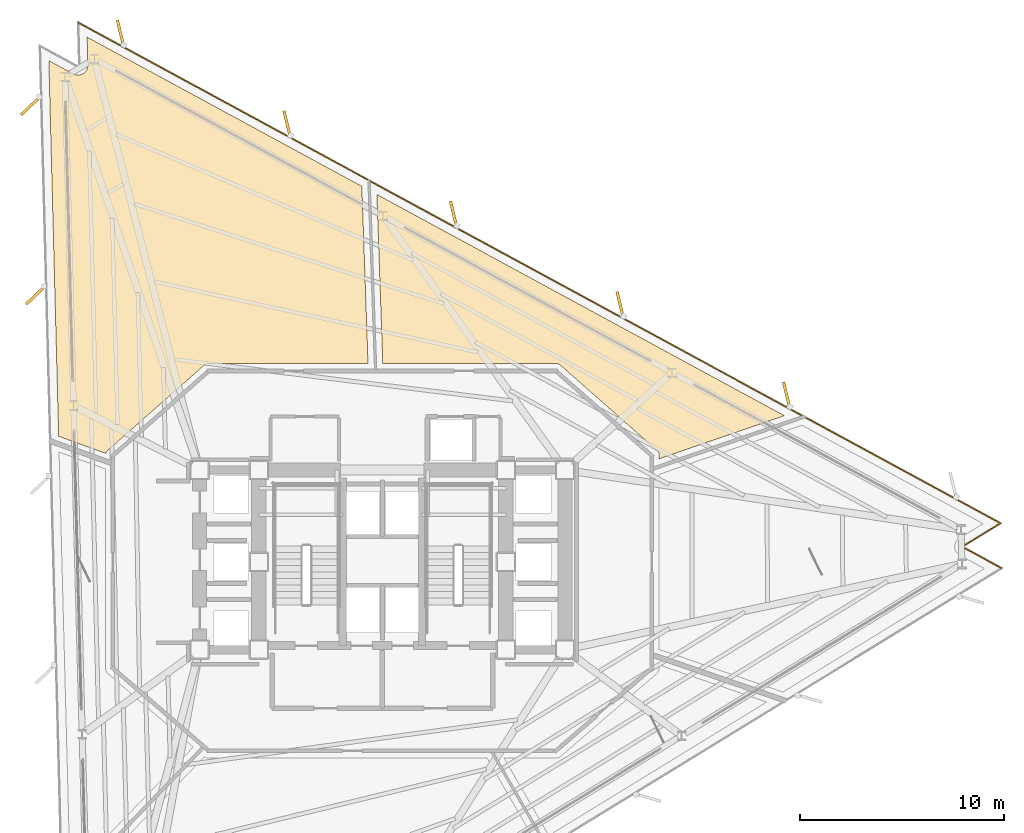
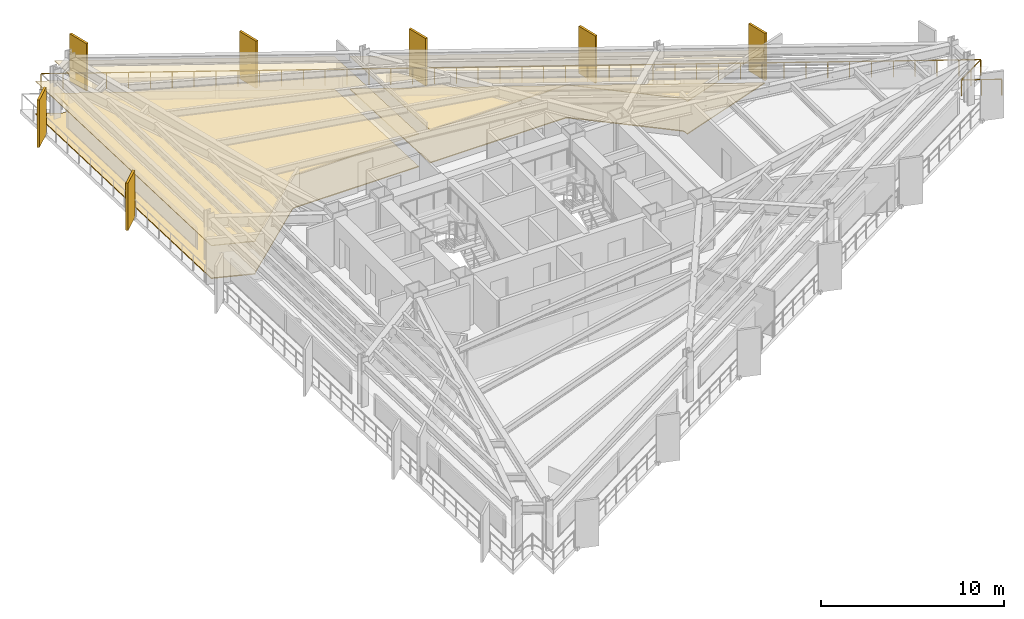
# One storey, part 14 of 14: 7 shading devices, 4 coverings, 1 railing.
"""IFC4 building model written with IfcOpenShell, lengths in metres."""

from ifc_helpers import new_model, si_unit, direction, frame, origin, origin_2d, place, context, subcontext, project, spatial, polyline, rectangle, outline, extrude, material, layer, layer_set, type_object, element, save


model = new_model("IFC4")

# Units and contexts
model_context = context("Model", 3, precision=1e-05, world=origin(), true_north=direction((0.0, 1.0)))
body_context = subcontext(model_context, "Body", "Model", "MODEL_VIEW")
ifc_project = project(units=[si_unit("LENGTHUNIT", "METRE"), si_unit("AREAUNIT", "SQUARE_METRE"), si_unit("VOLUMEUNIT", "CUBIC_METRE"), si_unit("PLANEANGLEUNIT", "RADIAN"), si_unit("MASSUNIT", "GRAM", prefix="KILO")], contexts=[model_context])

# Site, building, storey
site_placement = place(None, origin())
site = spatial("IfcSite", under=ifc_project, at=site_placement, CompositionType="ELEMENT")
building_placement = place(site_placement, origin())
building = spatial("IfcBuilding", under=site, at=building_placement, Name="Rocaltana Carrier Exchange", CompositionType="ELEMENT")
storey_placement = place(building_placement, frame((0.0, 0.0, 42.39990234375)))
storey = spatial("IfcBuildingStorey", under=building, at=storey_placement, Name="L13", CompositionType="ELEMENT", Elevation=42.39990234375)

# Coverings
ifc_material_1 = material(Name="Calcium Sulphate & Aluminium Pedestal", Category="aluminium")
ifc_layer_1 = layer(ifc_material_1, 0.06005859375)
ifc_layer_set_1 = layer_set([ifc_layer_1], Name="Calcium Sulphate & Aluminium Pedestal")
covering_type_1 = type_object("IfcCoveringType", Name="Anti-Static Raised Exchange Access Floor 60", PredefinedType="FLOORING", material=ifc_layer_set_1)
covering_1_placement = place(storey_placement, origin())
element("IfcCovering", 1, at=covering_1_placement, inside=storey, type_object=covering_type_1, Name="L13 Quiet Focus Lounge Finish Floor", PredefinedType="FLOORING", context=body_context, shape_type="SweptSolid", body=[
    extrude(outline(polyline([(19.68701171875, 7.15966796875), (13.56005859375, 5.0498046875), (13.56005859375, 5.199951171875), (13.559814453125, 5.213134765625), (13.559326171875, 5.220703125), (13.556884765625, 5.246826171875), (13.555908203125, 5.25439453125), (13.55078125, 5.2802734375), (13.549072265625, 5.28759765625), (13.541748046875, 5.31298828125), (13.539306640625, 5.320068359375), (13.529541015625, 5.344482421875), (13.526611328125, 5.351318359375), (13.5146484375, 5.375), (13.5107421875, 5.38134765625), (13.49658203125, 5.40380859375), (13.492431640625, 5.409912109375), (13.476318359375, 5.4306640625), (13.471435546875, 5.436279296875), (13.453369140625, 5.455810546875), (13.447998046875, 5.4609375), (13.438232421875, 5.469970703125), (8.73828125, 9.619873046875), (8.727294921875, 9.629150390625), (8.720703125, 9.63427734375), (8.697265625, 9.651123046875), (8.690185546875, 9.655517578125), (8.6650390625, 9.669921875), (8.65771484375, 9.673583984375), (8.631103515625, 9.68505859375), (8.62353515625, 9.68798828125), (8.595947265625, 9.697021484375), (8.587890625, 9.698974609375), (8.5595703125, 9.704833984375), (8.551513671875, 9.706298828125), (8.522705078125, 9.709228515625), (8.514404296875, 9.709716796875), (8.5, 9.7099609375), (0.02099609375, 9.7099609375), (-0.268310546875, 17.994384765625), (19.68701171875, 7.15966796875)])), origin(), (0.0, 0.0, 1.0), 0.06005859375),
])
covering_2_placement = place(storey_placement, origin())
element("IfcCovering", 2, at=covering_2_placement, inside=storey, type_object=covering_type_1, Name="L13 Peering Conference Room Finish Floor", PredefinedType="FLOORING", context=body_context, shape_type="SweptSolid", body=[
    extrude(outline(polyline([(-16.333984375, 24.54931640625), (-15.131103515625, 23.896484375), (-15.118896484375, 23.889892578125), (-15.100830078125, 23.88134765625), (-15.0751953125, 23.87060546875), (-15.056396484375, 23.86376953125), (-15.02978515625, 23.855712890625), (-15.01025390625, 23.8505859375), (-14.98291015625, 23.84521484375), (-14.96337890625, 23.84228515625), (-14.935546875, 23.839599609375), (-14.91552734375, 23.83837890625), (-14.8876953125, 23.838623046875), (-14.86767578125, 23.839599609375), (-14.840087890625, 23.84228515625), (-14.8203125, 23.845458984375), (-14.79296875, 23.85107421875), (-14.773681640625, 23.85595703125), (-14.746826171875, 23.8642578125), (-14.728271484375, 23.87109375), (-14.702392578125, 23.8818359375), (-14.6845703125, 23.890625), (-14.659912109375, 23.90380859375), (-14.64306640625, 23.914306640625), (-14.6201171875, 23.93017578125), (-14.60400390625, 23.942138671875), (-14.582763671875, 23.960205078125), (-14.568115234375, 23.9736328125), (-14.548583984375, 23.99365234375), (-14.535400390625, 24.0087890625), (-14.51806640625, 24.030517578125), (-14.506591796875, 24.046630859375), (-14.491455078125, 24.0703125), (-14.4814453125, 24.08740234375), (-14.46875, 24.1123046875), (-14.460693359375, 24.130615234375), (-14.450439453125, 24.156494140625), (-14.444091796875, 24.17529296875), (-14.4365234375, 24.202392578125), (-14.43212890625, 24.2216796875), (-14.42724609375, 24.249267578125), (-14.4248046875, 24.26904296875), (-14.4228515625, 24.296875), (-14.42236328125, 24.31689453125), (-14.42236328125, 24.330810546875), (-14.458251953125, 25.698974609375), (-1.00244140625, 18.39306640625), (-0.69921875, 9.7099609375), (-8.5, 9.7099609375), (-8.514404296875, 9.709716796875), (-8.522705078125, 9.709228515625), (-8.551513671875, 9.706298828125), (-8.5595703125, 9.704833984375), (-8.587890625, 9.698974609375), (-8.595947265625, 9.697021484375), (-8.62353515625, 9.68798828125), (-8.631103515625, 9.68505859375), (-8.65771484375, 9.673583984375), (-8.6650390625, 9.669921875), (-8.690185546875, 9.655517578125), (-8.697265625, 9.651123046875), (-8.720703125, 9.63427734375), (-8.727294921875, 9.629150390625), (-8.73828125, 9.619873046875), (-13.438232421875, 5.469970703125), (-13.447998046875, 5.4609375), (-13.453369140625, 5.455810546875), (-13.471435546875, 5.436279296875), (-13.476318359375, 5.4306640625), (-13.492431640625, 5.409912109375), (-13.49658203125, 5.40380859375), (-13.5107421875, 5.38134765625), (-13.5146484375, 5.375), (-13.526611328125, 5.351318359375), (-13.529541015625, 5.344482421875), (-13.539306640625, 5.320068359375), (-13.541748046875, 5.31298828125), (-13.5419921875, 5.31201171875), (-15.852294921875, 6.15283203125), (-16.333984375, 24.54931640625)])), origin(), (0.0, 0.0, 1.0), 0.06005859375),
])
ifc_material_2 = material(Name="Mineral Fibre & Powder-Coated Aluminium", Category="aluminium")
ifc_layer_2 = layer(ifc_material_2, 0.044921875)
ifc_layer_set_2 = layer_set([ifc_layer_2], Name="Mineral Fibre & Powder-Coated Aluminium")
covering_type_2 = type_object("IfcCoveringType", Name="Micro-Perforated Acoustic Ceiling 45", PredefinedType="CEILING", material=ifc_layer_set_2)
covering_3_placement = place(storey_placement, frame((0.0, 0.0, 2.18310546875)))
element("IfcCovering", 3, at=covering_3_placement, inside=storey, type_object=covering_type_2, Name="L13 Quiet Focus Lounge Acoustic Ceiling", PredefinedType="CEILING", context=body_context, shape_type="SweptSolid", body=[
    extrude(outline(polyline([(19.68701171875, 7.15966796875), (13.56005859375, 5.0498046875), (13.56005859375, 5.199951171875), (13.559814453125, 5.213134765625), (13.559326171875, 5.220703125), (13.556884765625, 5.246826171875), (13.555908203125, 5.25439453125), (13.55078125, 5.2802734375), (13.549072265625, 5.28759765625), (13.541748046875, 5.31298828125), (13.539306640625, 5.320068359375), (13.529541015625, 5.344482421875), (13.526611328125, 5.351318359375), (13.5146484375, 5.375), (13.5107421875, 5.38134765625), (13.49658203125, 5.40380859375), (13.492431640625, 5.409912109375), (13.476318359375, 5.4306640625), (13.471435546875, 5.436279296875), (13.453369140625, 5.455810546875), (13.447998046875, 5.4609375), (13.438232421875, 5.469970703125), (8.73828125, 9.619873046875), (8.727294921875, 9.629150390625), (8.720703125, 9.63427734375), (8.697265625, 9.651123046875), (8.690185546875, 9.655517578125), (8.6650390625, 9.669921875), (8.65771484375, 9.673583984375), (8.631103515625, 9.68505859375), (8.62353515625, 9.68798828125), (8.595947265625, 9.697021484375), (8.587890625, 9.698974609375), (8.5595703125, 9.704833984375), (8.551513671875, 9.706298828125), (8.522705078125, 9.709228515625), (8.514404296875, 9.709716796875), (8.5, 9.7099609375), (0.02099609375, 9.7099609375), (-0.268310546875, 17.994384765625), (19.68701171875, 7.15966796875)])), origin(), (0.0, 0.0, 1.0), 0.044921875),
])
covering_4_placement = place(storey_placement, frame((0.0, 0.0, 2.18310546875)))
element("IfcCovering", 4, at=covering_4_placement, inside=storey, type_object=covering_type_2, Name="L13 Peering Conference Room Acoustic Ceiling", PredefinedType="CEILING", context=body_context, shape_type="SweptSolid", body=[
    extrude(outline(polyline([(-16.333984375, 24.54931640625), (-15.131103515625, 23.896484375), (-15.118896484375, 23.889892578125), (-15.100830078125, 23.88134765625), (-15.0751953125, 23.87060546875), (-15.056396484375, 23.86376953125), (-15.02978515625, 23.855712890625), (-15.01025390625, 23.8505859375), (-14.98291015625, 23.84521484375), (-14.96337890625, 23.84228515625), (-14.935546875, 23.839599609375), (-14.91552734375, 23.83837890625), (-14.8876953125, 23.838623046875), (-14.86767578125, 23.839599609375), (-14.840087890625, 23.84228515625), (-14.8203125, 23.845458984375), (-14.79296875, 23.85107421875), (-14.773681640625, 23.85595703125), (-14.746826171875, 23.8642578125), (-14.728271484375, 23.87109375), (-14.702392578125, 23.8818359375), (-14.6845703125, 23.890625), (-14.659912109375, 23.90380859375), (-14.64306640625, 23.914306640625), (-14.6201171875, 23.93017578125), (-14.60400390625, 23.942138671875), (-14.582763671875, 23.960205078125), (-14.568115234375, 23.9736328125), (-14.548583984375, 23.99365234375), (-14.535400390625, 24.0087890625), (-14.51806640625, 24.030517578125), (-14.506591796875, 24.046630859375), (-14.491455078125, 24.0703125), (-14.4814453125, 24.08740234375), (-14.46875, 24.1123046875), (-14.460693359375, 24.130615234375), (-14.450439453125, 24.156494140625), (-14.444091796875, 24.17529296875), (-14.4365234375, 24.202392578125), (-14.43212890625, 24.2216796875), (-14.42724609375, 24.249267578125), (-14.4248046875, 24.26904296875), (-14.4228515625, 24.296875), (-14.42236328125, 24.31689453125), (-14.42236328125, 24.330810546875), (-14.458251953125, 25.698974609375), (-1.00244140625, 18.39306640625), (-0.69921875, 9.7099609375), (-8.5, 9.7099609375), (-8.514404296875, 9.709716796875), (-8.522705078125, 9.709228515625), (-8.551513671875, 9.706298828125), (-8.5595703125, 9.704833984375), (-8.587890625, 9.698974609375), (-8.595947265625, 9.697021484375), (-8.62353515625, 9.68798828125), (-8.631103515625, 9.68505859375), (-8.65771484375, 9.673583984375), (-8.6650390625, 9.669921875), (-8.690185546875, 9.655517578125), (-8.697265625, 9.651123046875), (-8.720703125, 9.63427734375), (-8.727294921875, 9.629150390625), (-8.73828125, 9.619873046875), (-13.438232421875, 5.469970703125), (-13.447998046875, 5.4609375), (-13.453369140625, 5.455810546875), (-13.471435546875, 5.436279296875), (-13.476318359375, 5.4306640625), (-13.492431640625, 5.409912109375), (-13.49658203125, 5.40380859375), (-13.5107421875, 5.38134765625), (-13.5146484375, 5.375), (-13.526611328125, 5.351318359375), (-13.529541015625, 5.344482421875), (-13.539306640625, 5.320068359375), (-13.541748046875, 5.31298828125), (-13.5419921875, 5.31201171875), (-15.852294921875, 6.15283203125), (-16.333984375, 24.54931640625)])), origin(), (0.0, 0.0, 1.0), 0.044921875),
])

# Shading devices
ifc_material_3 = material(Name="Honed Bogota Sandstone & Concrete C45/55", Category="masonry")
ifc_layer_3 = layer(ifc_material_3, 0.139892578125)
ifc_layer_set_3 = layer_set([ifc_layer_3], Name="Honed Bogota Sandstone & Concrete C45/55")
shading_device_type = type_object("IfcShadingDeviceType", Name="Vertical Sandstone Shading Fin 1320x140", PredefinedType="USERDEFINED", material=ifc_layer_set_3)
for number, where, z_axis, x_axis, name in (
    (5, (19.802001953125, 8.16748046875, -0.1201171875), (0.0, 0.0, 1.0), (-0.233445363856, 0.972369920398, 0.0), "L13 Sandstone Vertical Fin F1-02"),
    (6, (11.646484375, 12.595703125, -0.1201171875), (0.0, 0.0, 1.0), (-0.233445363856, 0.972369920398, 0.0), "L13 Sandstone Vertical Fin F1-03"),
    (7, (3.4912109375, 17.023681640625, -0.1201171875), (0.0, 0.0, 1.0), (-0.233445363856, 0.972369920398, 0.0), "L13 Sandstone Vertical Fin F1-04"),
    (8, (-4.664306640625, 21.45166015625, -0.1201171875), (0.0, 0.0, 1.0), (-0.233445363856, 0.972369920398, 0.0), "L13 Sandstone Vertical Fin F1-05"),
    (9, (-12.819580078125, 25.879638671875, -0.1201171875), (0.0, 0.0, 1.0), (-0.233445363856, 0.972369920398, 0.0), "L13 Sandstone Vertical Fin F1-06"),
    (10, (-17.21728515625, 22.342041015625, -0.1201171875), (0.0, 0.0, 1.0), (-0.725374371012, -0.688354575694, 0.0), "L13 Sandstone Vertical Fin F2-01"),
    (11, (-16.974365234375, 13.065185546875, -0.1201171875), (0.0, 0.0, 1.0), (-0.725374371012, -0.688354575694, 0.0), "L13 Sandstone Vertical Fin F2-02"),
):
    element("IfcShadingDevice", number, at=place(storey_placement, frame(where, z_axis=z_axis, x_axis=x_axis)), inside=storey, type_object=shading_device_type, Name=name, ObjectType="FIN", PredefinedType="USERDEFINED", context=body_context, shape_type="SweptSolid", body=[
        extrude(rectangle(XDim=1.320068359375, YDim=0.139892578125, at=origin_2d()), origin(), (0.0, 0.0, 1.0), 3.157958984375),
    ])

# Railing
ifc_material_4 = material(Name="Powder-Coated Aluminium 6063-T6", Category="aluminium")
ifc_layer_4 = layer(ifc_material_4, 0.06005859375)
ifc_layer_set_4 = layer_set([ifc_layer_4], Name="Powder-Coated Aluminium 6063-T6")
railing_type = type_object("IfcRailingType", Name="Wind-Floor & Terrace Perimeter Guardrail 1100", PredefinedType="GUARDRAIL", material=ifc_layer_set_4)
railing_placement = place(storey_placement, frame((-14.897216796875, 26.415283203125, 0.0)))
element("IfcRailing", 12, at=railing_placement, inside=storey, type_object=railing_type, Name="L13 Perimeter Balcony Guardrail 3", PredefinedType="GUARDRAIL", context=body_context, shape_type="SweptSolid", body=[
    extrude(rectangle(XDim=0.048095703125, YDim=0.048095703125, at=origin_2d()), frame((0.0, 0.0, 1.076171875), z_axis=(0.878817120119, -0.477158746526, 0.0), x_axis=(0.477158746526, 0.878817120119, 0.0)), (0.0, 0.0, 1.0), 51.39208984375),
    extrude(rectangle(XDim=0.048095703125, YDim=0.048095703125, at=origin_2d()), frame((45.164306640625, -24.522216796875, 1.076171875), z_axis=(-0.852598062579, -0.522567262356, 0.0), x_axis=(0.522567262356, -0.852598062579, 0.0)), (0.0, 0.0, 1.0), 2.199951171875),
    extrude(rectangle(XDim=0.048095703125, YDim=0.048095703125, at=origin_2d()), frame((43.28857421875, -25.671875, 1.076171875), z_axis=(0.878801578058, -0.477187370331, 0.0), x_axis=(0.477187370331, 0.878801578058, 0.0)), (0.0, 0.0, 1.0), 2.199951171875),
    extrude(rectangle(XDim=0.0419921875, YDim=0.0419921875, at=origin_2d()), origin(), (0.0, 0.0, 1.0), 1.052001953125),
    extrude(rectangle(XDim=0.0419921875, YDim=0.0419921875, at=origin_2d()), frame((1.05029296875, -0.5703125, 0.0)), (0.0, 0.0, 1.0), 1.052001953125),
    extrude(rectangle(XDim=0.0419921875, YDim=0.0419921875, at=origin_2d()), frame((2.1005859375, -1.140625, 0.0)), (0.0, 0.0, 1.0), 1.052001953125),
    extrude(rectangle(XDim=0.0419921875, YDim=0.0419921875, at=origin_2d()), frame((3.15087890625, -1.7109375, 0.0)), (0.0, 0.0, 1.0), 1.052001953125),
    extrude(rectangle(XDim=0.0419921875, YDim=0.0419921875, at=origin_2d()), frame((4.201416015625, -2.28125, 0.0)), (0.0, 0.0, 1.0), 1.052001953125),
    extrude(rectangle(XDim=0.0419921875, YDim=0.0419921875, at=origin_2d()), frame((5.251708984375, -2.851318359375, 0.0)), (0.0, 0.0, 1.0), 1.052001953125),
    extrude(rectangle(XDim=0.0419921875, YDim=0.0419921875, at=origin_2d()), frame((6.302001953125, -3.421630859375, 0.0)), (0.0, 0.0, 1.0), 1.052001953125),
    extrude(rectangle(XDim=0.0419921875, YDim=0.0419921875, at=origin_2d()), frame((7.352294921875, -3.991943359375, 0.0)), (0.0, 0.0, 1.0), 1.052001953125),
    extrude(rectangle(XDim=0.0419921875, YDim=0.0419921875, at=origin_2d()), frame((8.402587890625, -4.562255859375, 0.0)), (0.0, 0.0, 1.0), 1.052001953125),
    extrude(rectangle(XDim=0.0419921875, YDim=0.0419921875, at=origin_2d()), frame((9.452880859375, -5.132568359375, 0.0)), (0.0, 0.0, 1.0), 1.052001953125),
    extrude(rectangle(XDim=0.0419921875, YDim=0.0419921875, at=origin_2d()), frame((10.50341796875, -5.702880859375, 0.0)), (0.0, 0.0, 1.0), 1.052001953125),
    extrude(rectangle(XDim=0.0419921875, YDim=0.0419921875, at=origin_2d()), frame((11.5537109375, -6.273193359375, 0.0)), (0.0, 0.0, 1.0), 1.052001953125),
    extrude(rectangle(XDim=0.0419921875, YDim=0.0419921875, at=origin_2d()), frame((12.60400390625, -6.843505859375, 0.0)), (0.0, 0.0, 1.0), 1.052001953125),
    extrude(rectangle(XDim=0.0419921875, YDim=0.0419921875, at=origin_2d()), frame((13.654296875, -7.41357421875, 0.0)), (0.0, 0.0, 1.0), 1.052001953125),
    extrude(rectangle(XDim=0.0419921875, YDim=0.0419921875, at=origin_2d()), frame((14.70458984375, -7.98388671875, 0.0)), (0.0, 0.0, 1.0), 1.052001953125),
    extrude(rectangle(XDim=0.0419921875, YDim=0.0419921875, at=origin_2d()), frame((15.7548828125, -8.55419921875, 0.0)), (0.0, 0.0, 1.0), 1.052001953125),
    extrude(rectangle(XDim=0.0419921875, YDim=0.0419921875, at=origin_2d()), frame((16.805419921875, -9.12451171875, 0.0)), (0.0, 0.0, 1.0), 1.052001953125),
    extrude(rectangle(XDim=0.0419921875, YDim=0.0419921875, at=origin_2d()), frame((17.855712890625, -9.69482421875, 0.0)), (0.0, 0.0, 1.0), 1.052001953125),
    extrude(rectangle(XDim=0.0419921875, YDim=0.0419921875, at=origin_2d()), frame((18.906005859375, -10.26513671875, 0.0)), (0.0, 0.0, 1.0), 1.052001953125),
    extrude(rectangle(XDim=0.0419921875, YDim=0.0419921875, at=origin_2d()), frame((19.956298828125, -10.83544921875, 0.0)), (0.0, 0.0, 1.0), 1.052001953125),
    extrude(rectangle(XDim=0.0419921875, YDim=0.0419921875, at=origin_2d()), frame((21.006591796875, -11.40576171875, 0.0)), (0.0, 0.0, 1.0), 1.052001953125),
    extrude(rectangle(XDim=0.0419921875, YDim=0.0419921875, at=origin_2d()), frame((22.056884765625, -11.97607421875, 0.0)), (0.0, 0.0, 1.0), 1.052001953125),
    extrude(rectangle(XDim=0.0419921875, YDim=0.0419921875, at=origin_2d()), frame((23.107421875, -12.546142578125, 0.0)), (0.0, 0.0, 1.0), 1.052001953125),
    extrude(rectangle(XDim=0.0419921875, YDim=0.0419921875, at=origin_2d()), frame((24.15771484375, -13.116455078125, 0.0)), (0.0, 0.0, 1.0), 1.052001953125),
    extrude(rectangle(XDim=0.0419921875, YDim=0.0419921875, at=origin_2d()), frame((25.2080078125, -13.686767578125, 0.0)), (0.0, 0.0, 1.0), 1.052001953125),
    extrude(rectangle(XDim=0.0419921875, YDim=0.0419921875, at=origin_2d()), frame((26.25830078125, -14.257080078125, 0.0)), (0.0, 0.0, 1.0), 1.052001953125),
    extrude(rectangle(XDim=0.0419921875, YDim=0.0419921875, at=origin_2d()), frame((27.30859375, -14.827392578125, 0.0)), (0.0, 0.0, 1.0), 1.052001953125),
    extrude(rectangle(XDim=0.0419921875, YDim=0.0419921875, at=origin_2d()), frame((28.35888671875, -15.397705078125, 0.0)), (0.0, 0.0, 1.0), 1.052001953125),
    extrude(rectangle(XDim=0.0419921875, YDim=0.0419921875, at=origin_2d()), frame((29.409423828125, -15.968017578125, 0.0)), (0.0, 0.0, 1.0), 1.052001953125),
    extrude(rectangle(XDim=0.0419921875, YDim=0.0419921875, at=origin_2d()), frame((30.459716796875, -16.538330078125, 0.0)), (0.0, 0.0, 1.0), 1.052001953125),
    extrude(rectangle(XDim=0.0419921875, YDim=0.0419921875, at=origin_2d()), frame((31.510009765625, -17.108642578125, 0.0)), (0.0, 0.0, 1.0), 1.052001953125),
    extrude(rectangle(XDim=0.0419921875, YDim=0.0419921875, at=origin_2d()), frame((32.560302734375, -17.6787109375, 0.0)), (0.0, 0.0, 1.0), 1.052001953125),
    extrude(rectangle(XDim=0.0419921875, YDim=0.0419921875, at=origin_2d()), frame((33.610595703125, -18.2490234375, 0.0)), (0.0, 0.0, 1.0), 1.052001953125),
    extrude(rectangle(XDim=0.0419921875, YDim=0.0419921875, at=origin_2d()), frame((34.660888671875, -18.8193359375, 0.0)), (0.0, 0.0, 1.0), 1.052001953125),
    extrude(rectangle(XDim=0.0419921875, YDim=0.0419921875, at=origin_2d()), frame((35.71142578125, -19.3896484375, 0.0)), (0.0, 0.0, 1.0), 1.052001953125),
    extrude(rectangle(XDim=0.0419921875, YDim=0.0419921875, at=origin_2d()), frame((36.76171875, -19.9599609375, 0.0)), (0.0, 0.0, 1.0), 1.052001953125),
    extrude(rectangle(XDim=0.0419921875, YDim=0.0419921875, at=origin_2d()), frame((37.81201171875, -20.5302734375, 0.0)), (0.0, 0.0, 1.0), 1.052001953125),
    extrude(rectangle(XDim=0.0419921875, YDim=0.0419921875, at=origin_2d()), frame((38.8623046875, -21.1005859375, 0.0)), (0.0, 0.0, 1.0), 1.052001953125),
    extrude(rectangle(XDim=0.0419921875, YDim=0.0419921875, at=origin_2d()), frame((39.91259765625, -21.6708984375, 0.0)), (0.0, 0.0, 1.0), 1.052001953125),
    extrude(rectangle(XDim=0.0419921875, YDim=0.0419921875, at=origin_2d()), frame((40.962890625, -22.240966796875, 0.0)), (0.0, 0.0, 1.0), 1.052001953125),
    extrude(rectangle(XDim=0.0419921875, YDim=0.0419921875, at=origin_2d()), frame((42.013427734375, -22.811279296875, 0.0)), (0.0, 0.0, 1.0), 1.052001953125),
    extrude(rectangle(XDim=0.0419921875, YDim=0.0419921875, at=origin_2d()), frame((43.063720703125, -23.381591796875, 0.0)), (0.0, 0.0, 1.0), 1.052001953125),
    extrude(rectangle(XDim=0.0419921875, YDim=0.0419921875, at=origin_2d()), frame((44.114013671875, -23.951904296875, 0.0)), (0.0, 0.0, 1.0), 1.052001953125),
    extrude(rectangle(XDim=0.0419921875, YDim=0.0419921875, at=origin_2d()), frame((45.164306640625, -24.522216796875, 0.0)), (0.0, 0.0, 1.0), 1.052001953125),
    extrude(rectangle(XDim=0.0419921875, YDim=0.0419921875, at=origin_2d()), frame((44.2265625, -25.09716796875, 0.0)), (0.0, 0.0, 1.0), 1.052001953125),
    extrude(rectangle(XDim=0.0419921875, YDim=0.0419921875, at=origin_2d()), frame((43.28857421875, -25.671875, 0.0)), (0.0, 0.0, 1.0), 1.052001953125),
    extrude(rectangle(XDim=0.0419921875, YDim=0.0419921875, at=origin_2d()), frame((44.25537109375, -26.19677734375, 0.0)), (0.0, 0.0, 1.0), 1.052001953125),
    extrude(rectangle(XDim=0.0419921875, YDim=0.0419921875, at=origin_2d()), frame((45.221923828125, -26.7216796875, 0.0)), (0.0, 0.0, 1.0), 1.052001953125),
])

save(model, "model.ifc")
